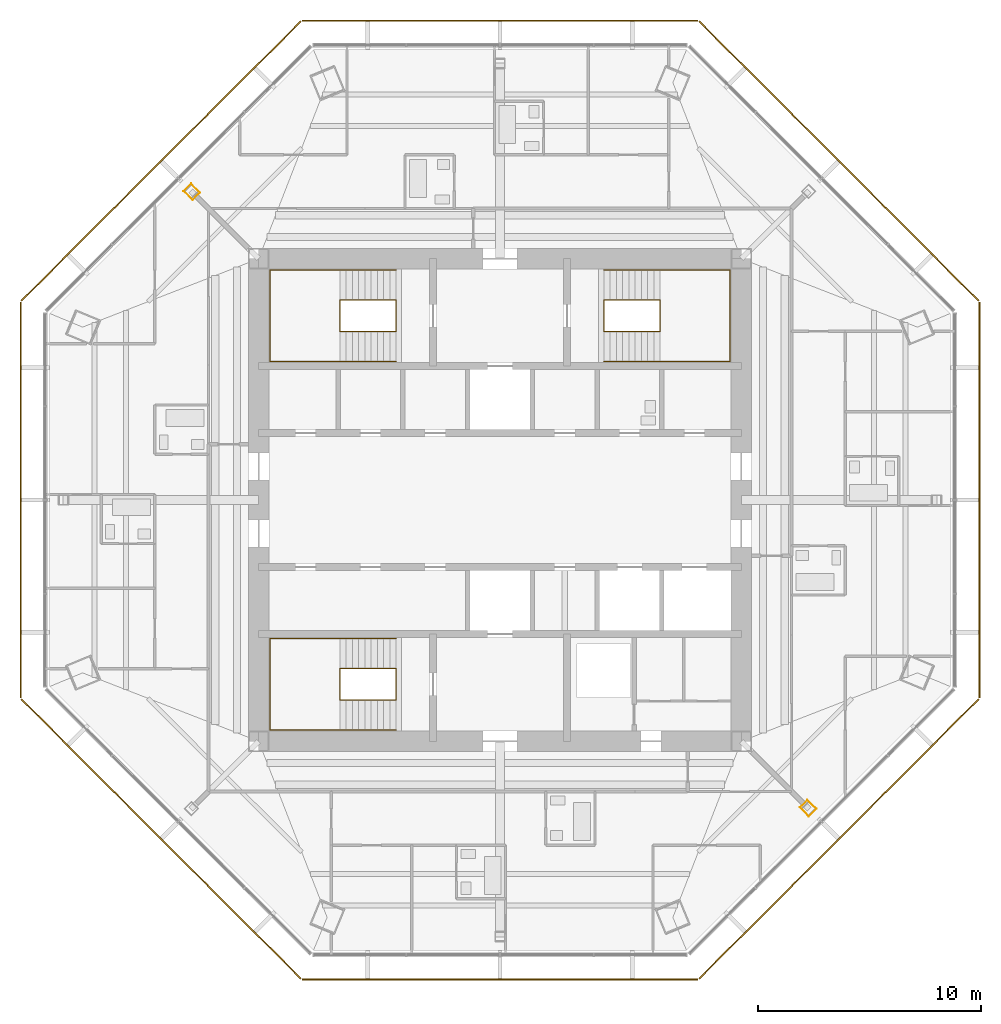
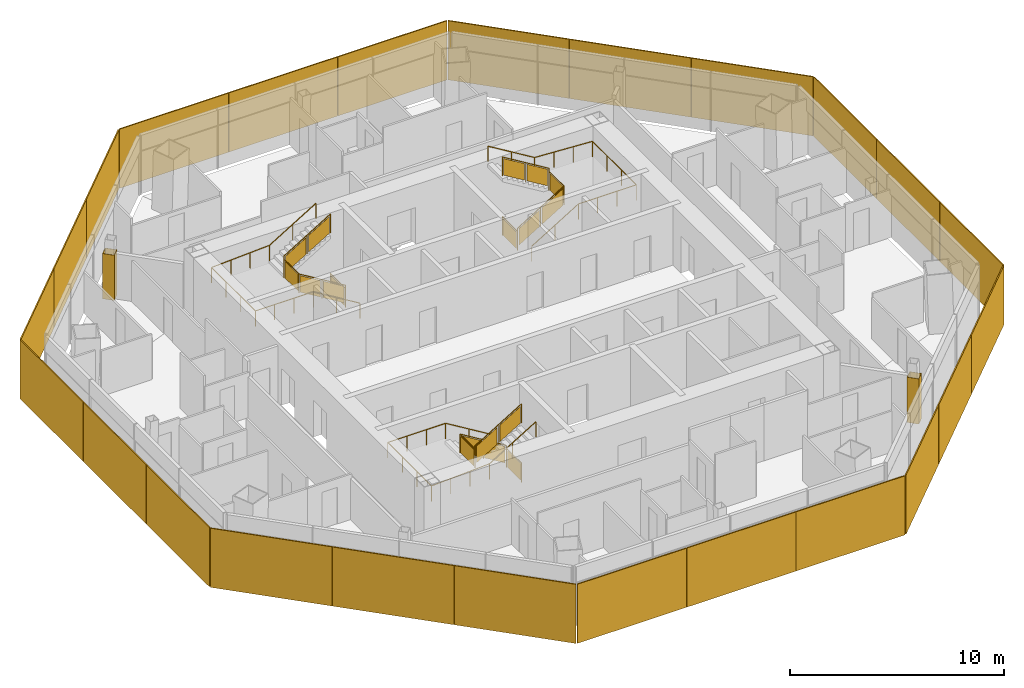
# One storey, part 14 of 15: 24 shading devices, 6 railings, 2 coverings.
"""IFC4 building model written with IfcOpenShell, lengths in metres."""

from ifc_helpers import new_model, si_unit, direction, frame, origin, origin_2d, place, context, subcontext, project, spatial, polyline, rectangle, circle, outline, extrude, source, transform, mapped, material, layer, layer_set, type_object, type_shapes, element, save


model = new_model("IFC4")

# Units and contexts
model_context = context("Model", 3, precision=1e-05, world=origin(), true_north=direction((0.0, 1.0)))
body_context = subcontext(model_context, "Body", "Model", "MODEL_VIEW")
ifc_project = project(units=[si_unit("LENGTHUNIT", "METRE"), si_unit("AREAUNIT", "SQUARE_METRE"), si_unit("VOLUMEUNIT", "CUBIC_METRE"), si_unit("PLANEANGLEUNIT", "RADIAN"), si_unit("MASSUNIT", "GRAM", prefix="KILO")], contexts=[model_context])

# Site, building, storey
site_placement = place(None, origin())
site = spatial("IfcSite", under=ifc_project, at=site_placement, CompositionType="ELEMENT")
building_placement = place(site_placement, origin())
building = spatial("IfcBuilding", under=site, at=building_placement, Name="Mashrafa Tower", CompositionType="ELEMENT")
storey_placement = place(building_placement, frame((0.0, 0.0, 270.800048828125)))
storey = spatial("IfcBuildingStorey", under=building, at=storey_placement, Name="L65", CompositionType="ELEMENT", Elevation=270.800048828125)

# Coverings
ifc_material_1 = material(Name="Gypsum board")
ifc_layer_1 = layer(ifc_material_1, 0.014892578125)
ifc_layer_set_1 = layer_set([ifc_layer_1], Name="Column casing plasterboard 15")
covering_type = type_object("IfcCoveringType", Name="Column casing plasterboard 15", PredefinedType="CLADDING", material=ifc_layer_set_1)
covering_1_placement = place(storey_placement, origin())
element("IfcCovering", 1, at=covering_1_placement, inside=storey, type_object=covering_type, Name="Column casing L65-001", PredefinedType="CLADDING", context=body_context, shape_type="SweptSolid", body=[
    extrude(outline(polyline([(-14.16650390625, 13.826904296875), (-13.826904296875, 14.16650390625), (-13.41943359375, 13.7587890625), (-13.7587890625, 13.41943359375), (-14.16650390625, 13.826904296875)]), holes=[polyline([(-13.440673828125, 13.7587890625), (-13.826904296875, 14.14501953125), (-14.14501953125, 13.826904296875), (-13.7587890625, 13.440673828125), (-13.440673828125, 13.7587890625)])]), origin(), (0.0, 0.0, 1.0), 2.590576171875),
])
covering_2_placement = place(storey_placement, origin())
element("IfcCovering", 2, at=covering_2_placement, inside=storey, type_object=covering_type, Name="Column casing L65-002", PredefinedType="CLADDING", context=body_context, shape_type="SweptSolid", body=[
    extrude(outline(polyline([(13.41943359375, -13.7587890625), (13.7587890625, -13.41943359375), (14.16650390625, -13.826904296875), (13.826904296875, -14.16650390625), (13.41943359375, -13.7587890625)]), holes=[polyline([(14.14501953125, -13.826904296875), (13.7587890625, -13.440673828125), (13.440673828125, -13.7587890625), (13.826904296875, -14.14501953125), (14.14501953125, -13.826904296875)])]), origin(), (0.0, 0.0, 1.0), 2.590576171875),
])

# Railings
ifc_material_2 = material(Name="Steel guard with glass infill", Category="steel")
railing_type_1 = type_object("IfcRailingType", Name="Stair guard 1100", PredefinedType="GUARDRAIL", material=ifc_material_2)
railing_1_placement = place(storey_placement, frame((-4.64990234375, 8.949951171875, 0.0)))
element("IfcRailing", 3, at=railing_1_placement, inside=storey, type_object=railing_type_1, Name="Stair S1 guard L65", PredefinedType="GUARDRAIL", context=body_context, shape_type="SweptSolid", body=[
    extrude(circle(Radius=0.02392578125, at=origin_2d()), frame((0.0, 0.0, 1.076171875), z_axis=(0.0, -1.0, 0.0), x_axis=(1.0, 0.0, 0.0)), (0.0, 0.0, 1.0), 1.39990234375),
    extrude(circle(Radius=0.02392578125, at=origin_2d()), frame((0.0, -1.39990234375, 1.076171875), z_axis=(0.0, 0.0, 1.0), x_axis=(1.0, 0.0, 0.0)), (0.0, 0.0, 1.0), 0.169921875),
    extrude(circle(Radius=0.02392578125, at=origin_2d()), frame((0.0, -1.39990234375, 1.24609375), z_axis=(-0.85478489116, 0.0, 0.518982456201), x_axis=(0.0, -1.0, 0.0)), (0.0, 0.0, 1.0), 2.9482421875),
    extrude(circle(Radius=0.02392578125, at=origin_2d()), frame((-2.52001953125, -1.39990234375, 2.77587890625), z_axis=(0.0, 1.0, 0.0), x_axis=(-1.0, 0.0, 0.0)), (0.0, 0.0, 1.0), 1.39990234375),
    extrude(circle(Radius=0.02392578125, at=origin_2d()), frame((-2.52001953125, 0.0, 2.77587890625), z_axis=(0.0, 0.0, 1.0), x_axis=(1.0, 0.0, 0.0)), (0.0, 0.0, 1.0), 0.169921875),
    extrude(circle(Radius=0.02392578125, at=origin_2d()), frame((-2.52001953125, 0.0, 2.94580078125), z_axis=(0.85478489116, 0.0, 0.518982456201), x_axis=(0.0, 1.0, 0.0)), (0.0, 0.0, 1.0), 2.9482421875),
    extrude(circle(Radius=0.02099609375, at=origin_2d()), origin(), (0.0, 0.0, 1.0), 1.052001953125),
    extrude(circle(Radius=0.02099609375, at=origin_2d()), frame((0.0, -1.39990234375, 0.0)), (0.0, 0.0, 1.0), 1.052001953125),
    extrude(circle(Radius=0.02099609375, at=origin_2d()), frame((0.0, -1.39990234375, 0.169921875)), (0.0, 0.0, 1.0), 1.052001953125),
    extrude(circle(Radius=0.02099609375, at=origin_2d()), frame((-1.260009765625, -1.39990234375, 0.93505859375)), (0.0, 0.0, 1.0), 1.052001953125),
    extrude(circle(Radius=0.02099609375, at=origin_2d()), frame((-2.52001953125, -1.39990234375, 1.699951171875)), (0.0, 0.0, 1.0), 1.052001953125),
    extrude(circle(Radius=0.02099609375, at=origin_2d()), frame((-2.52001953125, 0.0, 1.699951171875)), (0.0, 0.0, 1.0), 1.052001953125),
    extrude(circle(Radius=0.02099609375, at=origin_2d()), frame((-2.52001953125, 0.0, 1.869873046875)), (0.0, 0.0, 1.0), 1.052001953125),
    extrude(circle(Radius=0.02099609375, at=origin_2d()), frame((-1.260009765625, 0.0, 2.634765625)), (0.0, 0.0, 1.0), 1.052001953125),
    extrude(circle(Radius=0.02099609375, at=origin_2d()), frame((0.0, 0.0, 3.39990234375)), (0.0, 0.0, 1.0), 1.052001953125),
    extrude(outline(polyline([(0.071044921875, 0.050048828125), (1.328857421875, 0.050048828125), (1.328857421875, 1.001953125), (0.071044921875, 1.001953125), (0.071044921875, 0.050048828125)])), frame((-0.006103515625, 0.0, 0.0), z_axis=(-1.0, 0.0, 0.0), x_axis=(0.0, -1.0, 0.0)), (0.0, 0.0, 1.0), 0.011962890625),
    extrude(outline(polyline([(0.071044921875, 0.093017578125), (1.18896484375, 0.77197265625), (1.18896484375, 1.723876953125), (0.071044921875, 1.045166015625), (0.071044921875, 0.093017578125)])), frame((0.0, -1.393798828125, 0.169921875), z_axis=(0.0, 1.0, 0.0), x_axis=(-1.0, 0.0, 0.0)), (0.0, 0.0, 1.0), 0.011962890625),
    extrude(outline(polyline([(1.3310546875, 0.858154296875), (2.448974609375, 1.536865234375), (2.448974609375, 2.489013671875), (1.3310546875, 1.81005859375), (1.3310546875, 0.858154296875)])), frame((0.0, -1.393798828125, 0.169921875), z_axis=(0.0, 1.0, 0.0), x_axis=(-1.0, 0.0, 0.0)), (0.0, 0.0, 1.0), 0.011962890625),
    extrude(outline(polyline([(0.071044921875, 0.050048828125), (1.328857421875, 0.050048828125), (1.328857421875, 1.001953125), (0.071044921875, 1.001953125), (0.071044921875, 0.050048828125)])), frame((-2.513916015625, -1.39990234375, 1.699951171875), z_axis=(1.0, 0.0, 0.0), x_axis=(0.0, 1.0, 0.0)), (0.0, 0.0, 1.0), 0.011962890625),
    extrude(outline(polyline([(0.071044921875, 0.093017578125), (1.18896484375, 0.77197265625), (1.18896484375, 1.723876953125), (0.071044921875, 1.045166015625), (0.071044921875, 0.093017578125)])), frame((-2.52001953125, -0.006103515625, 1.869873046875), z_axis=(0.0, -1.0, 0.0), x_axis=(1.0, 0.0, 0.0)), (0.0, 0.0, 1.0), 0.011962890625),
    extrude(outline(polyline([(1.3310546875, 0.858154296875), (2.448974609375, 1.536865234375), (2.448974609375, 2.489013671875), (1.3310546875, 1.81005859375), (1.3310546875, 0.858154296875)])), frame((-2.52001953125, -0.006103515625, 1.869873046875), z_axis=(0.0, -1.0, 0.0), x_axis=(1.0, 0.0, 0.0)), (0.0, 0.0, 1.0), 0.011962890625),
])
railing_2_placement = place(storey_placement, frame((4.64990234375, 8.949951171875, 0.0)))
element("IfcRailing", 4, at=railing_2_placement, inside=storey, type_object=railing_type_1, Name="Stair S2 guard L65", PredefinedType="GUARDRAIL", context=body_context, shape_type="SweptSolid", body=[
    extrude(circle(Radius=0.02392578125, at=origin_2d()), frame((0.0, 0.0, 1.076171875), z_axis=(0.0, -1.0, 0.0), x_axis=(1.0, 0.0, 0.0)), (0.0, 0.0, 1.0), 1.39990234375),
    extrude(circle(Radius=0.02392578125, at=origin_2d()), frame((0.0, -1.39990234375, 1.076171875), z_axis=(0.0, 0.0, 1.0), x_axis=(1.0, 0.0, 0.0)), (0.0, 0.0, 1.0), 0.169921875),
    extrude(circle(Radius=0.02392578125, at=origin_2d()), frame((0.0, -1.39990234375, 1.24609375), z_axis=(0.85478489116, 0.0, 0.518982456201), x_axis=(0.0, 1.0, 0.0)), (0.0, 0.0, 1.0), 2.9482421875),
    extrude(circle(Radius=0.02392578125, at=origin_2d()), frame((2.52001953125, -1.39990234375, 2.77587890625), z_axis=(0.0, 1.0, 0.0), x_axis=(-1.0, 0.0, 0.0)), (0.0, 0.0, 1.0), 1.39990234375),
    extrude(circle(Radius=0.02392578125, at=origin_2d()), frame((2.52001953125, 0.0, 2.77587890625), z_axis=(0.0, 0.0, 1.0), x_axis=(1.0, 0.0, 0.0)), (0.0, 0.0, 1.0), 0.169921875),
    extrude(circle(Radius=0.02392578125, at=origin_2d()), frame((2.52001953125, 0.0, 2.94580078125), z_axis=(-0.85478489116, 0.0, 0.518982456201), x_axis=(0.0, -1.0, 0.0)), (0.0, 0.0, 1.0), 2.9482421875),
    extrude(circle(Radius=0.02099609375, at=origin_2d()), origin(), (0.0, 0.0, 1.0), 1.052001953125),
    extrude(circle(Radius=0.02099609375, at=origin_2d()), frame((0.0, -1.39990234375, 0.0)), (0.0, 0.0, 1.0), 1.052001953125),
    extrude(circle(Radius=0.02099609375, at=origin_2d()), frame((0.0, -1.39990234375, 0.169921875)), (0.0, 0.0, 1.0), 1.052001953125),
    extrude(circle(Radius=0.02099609375, at=origin_2d()), frame((1.260009765625, -1.39990234375, 0.93505859375)), (0.0, 0.0, 1.0), 1.052001953125),
    extrude(circle(Radius=0.02099609375, at=origin_2d()), frame((2.52001953125, -1.39990234375, 1.699951171875)), (0.0, 0.0, 1.0), 1.052001953125),
    extrude(circle(Radius=0.02099609375, at=origin_2d()), frame((2.52001953125, 0.0, 1.699951171875)), (0.0, 0.0, 1.0), 1.052001953125),
    extrude(circle(Radius=0.02099609375, at=origin_2d()), frame((2.52001953125, 0.0, 1.869873046875)), (0.0, 0.0, 1.0), 1.052001953125),
    extrude(circle(Radius=0.02099609375, at=origin_2d()), frame((1.260009765625, 0.0, 2.634765625)), (0.0, 0.0, 1.0), 1.052001953125),
    extrude(circle(Radius=0.02099609375, at=origin_2d()), frame((0.0, 0.0, 3.39990234375)), (0.0, 0.0, 1.0), 1.052001953125),
    extrude(outline(polyline([(0.071044921875, 0.050048828125), (1.328857421875, 0.050048828125), (1.328857421875, 1.001953125), (0.071044921875, 1.001953125), (0.071044921875, 0.050048828125)])), frame((-0.006103515625, 0.0, 0.0), z_axis=(-1.0, 0.0, 0.0), x_axis=(0.0, -1.0, 0.0)), (0.0, 0.0, 1.0), 0.011962890625),
    extrude(outline(polyline([(0.071044921875, 0.093017578125), (1.18896484375, 0.77197265625), (1.18896484375, 1.723876953125), (0.071044921875, 1.045166015625), (0.071044921875, 0.093017578125)])), frame((0.0, -1.406005859375, 0.169921875), z_axis=(0.0, -1.0, 0.0), x_axis=(1.0, 0.0, 0.0)), (0.0, 0.0, 1.0), 0.011962890625),
    extrude(outline(polyline([(1.3310546875, 0.858154296875), (2.448974609375, 1.536865234375), (2.448974609375, 2.489013671875), (1.3310546875, 1.81005859375), (1.3310546875, 0.858154296875)])), frame((0.0, -1.406005859375, 0.169921875), z_axis=(0.0, -1.0, 0.0), x_axis=(1.0, 0.0, 0.0)), (0.0, 0.0, 1.0), 0.011962890625),
    extrude(outline(polyline([(0.071044921875, 0.050048828125), (1.328857421875, 0.050048828125), (1.328857421875, 1.001953125), (0.071044921875, 1.001953125), (0.071044921875, 0.050048828125)])), frame((2.526123046875, -1.39990234375, 1.699951171875), z_axis=(1.0, 0.0, 0.0), x_axis=(0.0, 1.0, 0.0)), (0.0, 0.0, 1.0), 0.011962890625),
    extrude(outline(polyline([(0.071044921875, 0.093017578125), (1.18896484375, 0.77197265625), (1.18896484375, 1.723876953125), (0.071044921875, 1.045166015625), (0.071044921875, 0.093017578125)])), frame((2.52001953125, 0.006103515625, 1.869873046875), z_axis=(0.0, 1.0, 0.0), x_axis=(-1.0, 0.0, 0.0)), (0.0, 0.0, 1.0), 0.011962890625),
    extrude(outline(polyline([(1.3310546875, 0.858154296875), (2.448974609375, 1.536865234375), (2.448974609375, 2.489013671875), (1.3310546875, 1.81005859375), (1.3310546875, 0.858154296875)])), frame((2.52001953125, 0.006103515625, 1.869873046875), z_axis=(0.0, 1.0, 0.0), x_axis=(-1.0, 0.0, 0.0)), (0.0, 0.0, 1.0), 0.011962890625),
])
railing_3_placement = place(storey_placement, frame((-4.64990234375, -8.949951171875, 0.0)))
element("IfcRailing", 5, at=railing_3_placement, inside=storey, type_object=railing_type_1, Name="Stair S3 guard L65", PredefinedType="GUARDRAIL", context=body_context, shape_type="SweptSolid", body=[
    extrude(circle(Radius=0.02392578125, at=origin_2d()), frame((0.0, 0.0, 1.076171875), z_axis=(0.0, 1.0, 0.0), x_axis=(-1.0, 0.0, 0.0)), (0.0, 0.0, 1.0), 1.39990234375),
    extrude(circle(Radius=0.02392578125, at=origin_2d()), frame((0.0, 1.39990234375, 1.076171875), z_axis=(0.0, 0.0, 1.0), x_axis=(1.0, 0.0, 0.0)), (0.0, 0.0, 1.0), 0.169921875),
    extrude(circle(Radius=0.02392578125, at=origin_2d()), frame((0.0, 1.39990234375, 1.24609375), z_axis=(-0.85478489116, 0.0, 0.518982456201), x_axis=(0.0, -1.0, 0.0)), (0.0, 0.0, 1.0), 2.9482421875),
    extrude(circle(Radius=0.02392578125, at=origin_2d()), frame((-2.52001953125, 1.39990234375, 2.77587890625), z_axis=(0.0, -1.0, 0.0), x_axis=(1.0, 0.0, 0.0)), (0.0, 0.0, 1.0), 1.39990234375),
    extrude(circle(Radius=0.02392578125, at=origin_2d()), frame((-2.52001953125, 0.0, 2.77587890625), z_axis=(0.0, 0.0, 1.0), x_axis=(1.0, 0.0, 0.0)), (0.0, 0.0, 1.0), 0.169921875),
    extrude(circle(Radius=0.02392578125, at=origin_2d()), frame((-2.52001953125, 0.0, 2.94580078125), z_axis=(0.85478489116, 0.0, 0.518982456201), x_axis=(0.0, 1.0, 0.0)), (0.0, 0.0, 1.0), 2.9482421875),
    extrude(circle(Radius=0.02099609375, at=origin_2d()), origin(), (0.0, 0.0, 1.0), 1.052001953125),
    extrude(circle(Radius=0.02099609375, at=origin_2d()), frame((0.0, 1.39990234375, 0.0)), (0.0, 0.0, 1.0), 1.052001953125),
    extrude(circle(Radius=0.02099609375, at=origin_2d()), frame((0.0, 1.39990234375, 0.169921875)), (0.0, 0.0, 1.0), 1.052001953125),
    extrude(circle(Radius=0.02099609375, at=origin_2d()), frame((-1.260009765625, 1.39990234375, 0.93505859375)), (0.0, 0.0, 1.0), 1.052001953125),
    extrude(circle(Radius=0.02099609375, at=origin_2d()), frame((-2.52001953125, 1.39990234375, 1.699951171875)), (0.0, 0.0, 1.0), 1.052001953125),
    extrude(circle(Radius=0.02099609375, at=origin_2d()), frame((-2.52001953125, 0.0, 1.699951171875)), (0.0, 0.0, 1.0), 1.052001953125),
    extrude(circle(Radius=0.02099609375, at=origin_2d()), frame((-2.52001953125, 0.0, 1.869873046875)), (0.0, 0.0, 1.0), 1.052001953125),
    extrude(circle(Radius=0.02099609375, at=origin_2d()), frame((-1.260009765625, 0.0, 2.634765625)), (0.0, 0.0, 1.0), 1.052001953125),
    extrude(circle(Radius=0.02099609375, at=origin_2d()), frame((0.0, 0.0, 3.39990234375)), (0.0, 0.0, 1.0), 1.052001953125),
    extrude(outline(polyline([(0.071044921875, 0.050048828125), (1.328857421875, 0.050048828125), (1.328857421875, 1.001953125), (0.071044921875, 1.001953125), (0.071044921875, 0.050048828125)])), frame((0.006103515625, 0.0, 0.0), z_axis=(1.0, 0.0, 0.0), x_axis=(0.0, 1.0, 0.0)), (0.0, 0.0, 1.0), 0.011962890625),
    extrude(outline(polyline([(0.071044921875, 0.093017578125), (1.18896484375, 0.77197265625), (1.18896484375, 1.723876953125), (0.071044921875, 1.045166015625), (0.071044921875, 0.093017578125)])), frame((0.0, 1.406005859375, 0.169921875), z_axis=(0.0, 1.0, 0.0), x_axis=(-1.0, 0.0, 0.0)), (0.0, 0.0, 1.0), 0.011962890625),
    extrude(outline(polyline([(1.3310546875, 0.858154296875), (2.448974609375, 1.536865234375), (2.448974609375, 2.489013671875), (1.3310546875, 1.81005859375), (1.3310546875, 0.858154296875)])), frame((0.0, 1.406005859375, 0.169921875), z_axis=(0.0, 1.0, 0.0), x_axis=(-1.0, 0.0, 0.0)), (0.0, 0.0, 1.0), 0.011962890625),
    extrude(outline(polyline([(0.071044921875, 0.050048828125), (1.328857421875, 0.050048828125), (1.328857421875, 1.001953125), (0.071044921875, 1.001953125), (0.071044921875, 0.050048828125)])), frame((-2.526123046875, 1.39990234375, 1.699951171875), z_axis=(-1.0, 0.0, 0.0), x_axis=(0.0, -1.0, 0.0)), (0.0, 0.0, 1.0), 0.011962890625),
    extrude(outline(polyline([(0.071044921875, 0.093017578125), (1.18896484375, 0.77197265625), (1.18896484375, 1.723876953125), (0.071044921875, 1.045166015625), (0.071044921875, 0.093017578125)])), frame((-2.52001953125, -0.006103515625, 1.869873046875), z_axis=(0.0, -1.0, 0.0), x_axis=(1.0, 0.0, 0.0)), (0.0, 0.0, 1.0), 0.011962890625),
    extrude(outline(polyline([(1.3310546875, 0.858154296875), (2.448974609375, 1.536865234375), (2.448974609375, 2.489013671875), (1.3310546875, 1.81005859375), (1.3310546875, 0.858154296875)])), frame((-2.52001953125, -0.006103515625, 1.869873046875), z_axis=(0.0, -1.0, 0.0), x_axis=(1.0, 0.0, 0.0)), (0.0, 0.0, 1.0), 0.011962890625),
])
ifc_material_3 = material(Name="Steel", Category="steel")
railing_type_2 = type_object("IfcRailingType", Name="Stair handrail 900", PredefinedType="HANDRAIL", material=ifc_material_3)
railing_4_placement = place(storey_placement, frame((-4.64990234375, 6.199951171875, 0.169921875)))
element("IfcRailing", 6, at=railing_4_placement, inside=storey, type_object=railing_type_2, Name="Stair S1 handrail L65", PredefinedType="HANDRAIL", context=body_context, shape_type="SweptSolid", body=[
    extrude(circle(Radius=0.02392578125, at=origin_2d()), frame((0.0, 0.0, 0.8759765625), z_axis=(-0.85478489116, 0.0, 0.518982456201), x_axis=(0.0, -1.0, 0.0)), (0.0, 0.0, 1.0), 2.9482421875),
    extrude(circle(Radius=0.02392578125, at=origin_2d()), frame((-2.52001953125, 0.0, 2.40576171875), z_axis=(-1.0, 0.0, 0.0), x_axis=(0.0, -1.0, 0.0)), (0.0, 0.0, 1.0), 3.130126953125),
    extrude(circle(Radius=0.02392578125, at=origin_2d()), frame((-5.650146484375, 0.0, 2.40576171875), z_axis=(0.0, 1.0, 0.0), x_axis=(-1.0, 0.0, 0.0)), (0.0, 0.0, 1.0), 4.10009765625),
    extrude(circle(Radius=0.02392578125, at=origin_2d()), frame((-5.650146484375, 4.10009765625, 2.40576171875), z_axis=(0.998529767259, 0.0, 0.054206124172), x_axis=(0.0, 1.0, 0.0)), (0.0, 0.0, 1.0), 3.134765625),
    extrude(circle(Radius=0.02392578125, at=origin_2d()), frame((-2.52001953125, 4.10009765625, 2.57568359375), z_axis=(0.85478489116, 0.0, 0.518982456201), x_axis=(0.0, 1.0, 0.0)), (0.0, 0.0, 1.0), 2.9482421875),
    extrude(circle(Radius=0.02099609375, at=origin_2d()), origin(), (0.0, 0.0, 1.0), 0.851806640625),
    extrude(circle(Radius=0.02099609375, at=origin_2d()), frame((-1.260009765625, 0.0, 0.76513671875)), (0.0, 0.0, 1.0), 0.851806640625),
    extrude(circle(Radius=0.02099609375, at=origin_2d()), frame((-2.52001953125, 0.0, 1.530029296875)), (0.0, 0.0, 1.0), 0.851806640625),
    extrude(circle(Radius=0.02099609375, at=origin_2d()), frame((-3.5634765625, 0.0, 1.530029296875)), (0.0, 0.0, 1.0), 0.851806640625),
    extrude(circle(Radius=0.02099609375, at=origin_2d()), frame((-4.606689453125, 0.0, 1.530029296875)), (0.0, 0.0, 1.0), 0.851806640625),
    extrude(circle(Radius=0.02099609375, at=origin_2d()), frame((-5.650146484375, 0.0, 1.530029296875)), (0.0, 0.0, 1.0), 0.851806640625),
    extrude(circle(Radius=0.02099609375, at=origin_2d()), frame((-5.650146484375, 1.36669921875, 1.530029296875)), (0.0, 0.0, 1.0), 0.851806640625),
    extrude(circle(Radius=0.02099609375, at=origin_2d()), frame((-5.650146484375, 2.7333984375, 1.530029296875)), (0.0, 0.0, 1.0), 0.851806640625),
    extrude(circle(Radius=0.02099609375, at=origin_2d()), frame((-5.650146484375, 4.10009765625, 1.530029296875)), (0.0, 0.0, 1.0), 0.851806640625),
    extrude(circle(Radius=0.02099609375, at=origin_2d()), frame((-4.606689453125, 4.10009765625, 1.586669921875)), (0.0, 0.0, 1.0), 0.851806640625),
    extrude(circle(Radius=0.02099609375, at=origin_2d()), frame((-3.5634765625, 4.10009765625, 1.643310546875)), (0.0, 0.0, 1.0), 0.851806640625),
    extrude(circle(Radius=0.02099609375, at=origin_2d()), frame((-2.52001953125, 4.10009765625, 1.699951171875)), (0.0, 0.0, 1.0), 0.851806640625),
    extrude(circle(Radius=0.02099609375, at=origin_2d()), frame((-1.260009765625, 4.10009765625, 2.46484375)), (0.0, 0.0, 1.0), 0.851806640625),
    extrude(circle(Radius=0.02099609375, at=origin_2d()), frame((0.0, 4.10009765625, 3.22998046875)), (0.0, 0.0, 1.0), 0.851806640625),
])
railing_5_placement = place(storey_placement, frame((4.64990234375, 6.199951171875, 0.169921875)))
element("IfcRailing", 7, at=railing_5_placement, inside=storey, type_object=railing_type_2, Name="Stair S2 handrail L65", PredefinedType="HANDRAIL", context=body_context, shape_type="SweptSolid", body=[
    extrude(circle(Radius=0.02392578125, at=origin_2d()), frame((0.0, 0.0, 0.8759765625), z_axis=(0.85478489116, 0.0, 0.518982456201), x_axis=(0.0, 1.0, 0.0)), (0.0, 0.0, 1.0), 2.9482421875),
    extrude(circle(Radius=0.02392578125, at=origin_2d()), frame((2.52001953125, 0.0, 2.40576171875), z_axis=(1.0, 0.0, 0.0), x_axis=(0.0, 1.0, 0.0)), (0.0, 0.0, 1.0), 3.130126953125),
    extrude(circle(Radius=0.02392578125, at=origin_2d()), frame((5.650146484375, 0.0, 2.40576171875), z_axis=(0.0, 1.0, 0.0), x_axis=(-1.0, 0.0, 0.0)), (0.0, 0.0, 1.0), 4.10009765625),
    extrude(circle(Radius=0.02392578125, at=origin_2d()), frame((5.650146484375, 4.10009765625, 2.40576171875), z_axis=(-0.998529767259, 0.0, 0.054206124172), x_axis=(0.0, -1.0, 0.0)), (0.0, 0.0, 1.0), 3.134765625),
    extrude(circle(Radius=0.02392578125, at=origin_2d()), frame((2.52001953125, 4.10009765625, 2.57568359375), z_axis=(-0.85478489116, 0.0, 0.518982456201), x_axis=(0.0, -1.0, 0.0)), (0.0, 0.0, 1.0), 2.9482421875),
    extrude(circle(Radius=0.02099609375, at=origin_2d()), origin(), (0.0, 0.0, 1.0), 0.851806640625),
    extrude(circle(Radius=0.02099609375, at=origin_2d()), frame((1.260009765625, 0.0, 0.76513671875)), (0.0, 0.0, 1.0), 0.851806640625),
    extrude(circle(Radius=0.02099609375, at=origin_2d()), frame((2.52001953125, 0.0, 1.530029296875)), (0.0, 0.0, 1.0), 0.851806640625),
    extrude(circle(Radius=0.02099609375, at=origin_2d()), frame((3.5634765625, 0.0, 1.530029296875)), (0.0, 0.0, 1.0), 0.851806640625),
    extrude(circle(Radius=0.02099609375, at=origin_2d()), frame((4.606689453125, 0.0, 1.530029296875)), (0.0, 0.0, 1.0), 0.851806640625),
    extrude(circle(Radius=0.02099609375, at=origin_2d()), frame((5.650146484375, 0.0, 1.530029296875)), (0.0, 0.0, 1.0), 0.851806640625),
    extrude(circle(Radius=0.02099609375, at=origin_2d()), frame((5.650146484375, 1.36669921875, 1.530029296875)), (0.0, 0.0, 1.0), 0.851806640625),
    extrude(circle(Radius=0.02099609375, at=origin_2d()), frame((5.650146484375, 2.7333984375, 1.530029296875)), (0.0, 0.0, 1.0), 0.851806640625),
    extrude(circle(Radius=0.02099609375, at=origin_2d()), frame((5.650146484375, 4.10009765625, 1.530029296875)), (0.0, 0.0, 1.0), 0.851806640625),
    extrude(circle(Radius=0.02099609375, at=origin_2d()), frame((4.606689453125, 4.10009765625, 1.586669921875)), (0.0, 0.0, 1.0), 0.851806640625),
    extrude(circle(Radius=0.02099609375, at=origin_2d()), frame((3.5634765625, 4.10009765625, 1.643310546875)), (0.0, 0.0, 1.0), 0.851806640625),
    extrude(circle(Radius=0.02099609375, at=origin_2d()), frame((2.52001953125, 4.10009765625, 1.699951171875)), (0.0, 0.0, 1.0), 0.851806640625),
    extrude(circle(Radius=0.02099609375, at=origin_2d()), frame((1.260009765625, 4.10009765625, 2.46484375)), (0.0, 0.0, 1.0), 0.851806640625),
    extrude(circle(Radius=0.02099609375, at=origin_2d()), frame((0.0, 4.10009765625, 3.22998046875)), (0.0, 0.0, 1.0), 0.851806640625),
])
railing_6_placement = place(storey_placement, frame((-4.64990234375, -6.199951171875, 0.169921875)))
element("IfcRailing", 8, at=railing_6_placement, inside=storey, type_object=railing_type_2, Name="Stair S3 handrail L65", PredefinedType="HANDRAIL", context=body_context, shape_type="SweptSolid", body=[
    extrude(circle(Radius=0.02392578125, at=origin_2d()), frame((0.0, 0.0, 0.8759765625), z_axis=(-0.85478489116, 0.0, 0.518982456201), x_axis=(0.0, -1.0, 0.0)), (0.0, 0.0, 1.0), 2.9482421875),
    extrude(circle(Radius=0.02392578125, at=origin_2d()), frame((-2.52001953125, 0.0, 2.40576171875), z_axis=(-1.0, 0.0, 0.0), x_axis=(0.0, -1.0, 0.0)), (0.0, 0.0, 1.0), 3.130126953125),
    extrude(circle(Radius=0.02392578125, at=origin_2d()), frame((-5.650146484375, 0.0, 2.40576171875), z_axis=(0.0, -1.0, 0.0), x_axis=(1.0, 0.0, 0.0)), (0.0, 0.0, 1.0), 4.10009765625),
    extrude(circle(Radius=0.02392578125, at=origin_2d()), frame((-5.650146484375, -4.10009765625, 2.40576171875), z_axis=(0.998529767259, 0.0, 0.054206124172), x_axis=(0.0, 1.0, 0.0)), (0.0, 0.0, 1.0), 3.134765625),
    extrude(circle(Radius=0.02392578125, at=origin_2d()), frame((-2.52001953125, -4.10009765625, 2.57568359375), z_axis=(0.85478489116, 0.0, 0.518982456201), x_axis=(0.0, 1.0, 0.0)), (0.0, 0.0, 1.0), 2.9482421875),
    extrude(circle(Radius=0.02099609375, at=origin_2d()), origin(), (0.0, 0.0, 1.0), 0.851806640625),
    extrude(circle(Radius=0.02099609375, at=origin_2d()), frame((-1.260009765625, 0.0, 0.76513671875)), (0.0, 0.0, 1.0), 0.851806640625),
    extrude(circle(Radius=0.02099609375, at=origin_2d()), frame((-2.52001953125, 0.0, 1.530029296875)), (0.0, 0.0, 1.0), 0.851806640625),
    extrude(circle(Radius=0.02099609375, at=origin_2d()), frame((-3.5634765625, 0.0, 1.530029296875)), (0.0, 0.0, 1.0), 0.851806640625),
    extrude(circle(Radius=0.02099609375, at=origin_2d()), frame((-4.606689453125, 0.0, 1.530029296875)), (0.0, 0.0, 1.0), 0.851806640625),
    extrude(circle(Radius=0.02099609375, at=origin_2d()), frame((-5.650146484375, 0.0, 1.530029296875)), (0.0, 0.0, 1.0), 0.851806640625),
    extrude(circle(Radius=0.02099609375, at=origin_2d()), frame((-5.650146484375, -1.36669921875, 1.530029296875)), (0.0, 0.0, 1.0), 0.851806640625),
    extrude(circle(Radius=0.02099609375, at=origin_2d()), frame((-5.650146484375, -2.7333984375, 1.530029296875)), (0.0, 0.0, 1.0), 0.851806640625),
    extrude(circle(Radius=0.02099609375, at=origin_2d()), frame((-5.650146484375, -4.10009765625, 1.530029296875)), (0.0, 0.0, 1.0), 0.851806640625),
    extrude(circle(Radius=0.02099609375, at=origin_2d()), frame((-4.606689453125, -4.10009765625, 1.586669921875)), (0.0, 0.0, 1.0), 0.851806640625),
    extrude(circle(Radius=0.02099609375, at=origin_2d()), frame((-3.5634765625, -4.10009765625, 1.643310546875)), (0.0, 0.0, 1.0), 0.851806640625),
    extrude(circle(Radius=0.02099609375, at=origin_2d()), frame((-2.52001953125, -4.10009765625, 1.699951171875)), (0.0, 0.0, 1.0), 0.851806640625),
    extrude(circle(Radius=0.02099609375, at=origin_2d()), frame((-1.260009765625, -4.10009765625, 2.46484375)), (0.0, 0.0, 1.0), 0.851806640625),
    extrude(circle(Radius=0.02099609375, at=origin_2d()), frame((0.0, -4.10009765625, 3.22998046875)), (0.0, 0.0, 1.0), 0.851806640625),
])

# Shading devices
ifc_material_4 = material(Name="Perforated aluminium plate, eight-point star pattern", Category="aluminium")
ifc_layer_2 = layer(ifc_material_4, 0.06005859375)
ifc_layer_set_2 = layer_set([ifc_layer_2], Name="Mashrabiya screen panel apartment zone 4, 22 percent open")
shading_device_type = type_object("IfcShadingDeviceType", Name="Mashrabiya screen panel apartment zone 4, 22 percent open", PredefinedType="SHUTTER", material=ifc_layer_set_2)
shared_shape = source(origin(), body_context, "Body", "SweptSolid", [
    extrude(rectangle(XDim=5.889404296875, YDim=0.06005859375, at=origin_2d()), origin(), (0.0, 0.0, 1.0), 3.3798828125),
])
type_shapes(shading_device_type, [shared_shape])
for number, where, z_axis, x_axis, name in (
    (9, (21.4541015625, -5.909423828125, -0.14990234375), (0.0, 0.0, 1.0), (0.0, 1.0, 0.0), "Mashrabiya screen L65 east 1"),
    (10, (21.4541015625, 0.0, -0.14990234375), (0.0, 0.0, 1.0), (0.0, 1.0, 0.0), "Mashrabiya screen L65 east 2"),
    (11, (21.4541015625, 5.909423828125, -0.14990234375), (0.0, 0.0, 1.0), (0.0, 1.0, 0.0), "Mashrabiya screen L65 east 3"),
    (12, (19.34912109375, 10.99169921875, -0.14990234375), (0.0, 0.0, 1.0), (-0.707106781187, 0.707106781187, 0.0), "Mashrabiya screen L65 north-east 1"),
    (13, (15.17041015625, 15.17041015625, -0.14990234375), (0.0, 0.0, 1.0), (-0.707106781187, 0.707106781187, 0.0), "Mashrabiya screen L65 north-east 2"),
    (14, (10.99169921875, 19.34912109375, -0.14990234375), (0.0, 0.0, 1.0), (-0.707106781187, 0.707106781187, 0.0), "Mashrabiya screen L65 north-east 3"),
    (15, (5.909423828125, 21.4541015625, -0.14990234375), (0.0, 0.0, 1.0), (-1.0, 0.0, 0.0), "Mashrabiya screen L65 north 1"),
    (16, (0.0, 21.4541015625, -0.14990234375), (0.0, 0.0, 1.0), (-1.0, 0.0, 0.0), "Mashrabiya screen L65 north 2"),
    (17, (-5.909423828125, 21.4541015625, -0.14990234375), (0.0, 0.0, 1.0), (-1.0, 0.0, 0.0), "Mashrabiya screen L65 north 3"),
    (18, (-10.99169921875, 19.34912109375, -0.14990234375), (0.0, 0.0, 1.0), (-0.707106781187, -0.707106781187, 0.0), "Mashrabiya screen L65 north-west 1"),
    (19, (-15.17041015625, 15.17041015625, -0.14990234375), (0.0, 0.0, 1.0), (-0.707106781187, -0.707106781187, 0.0), "Mashrabiya screen L65 north-west 2"),
    (20, (-19.34912109375, 10.99169921875, -0.14990234375), (0.0, 0.0, 1.0), (-0.707106781187, -0.707106781187, 0.0), "Mashrabiya screen L65 north-west 3"),
    (21, (-21.4541015625, 5.909423828125, -0.14990234375), (0.0, 0.0, 1.0), (0.0, -1.0, 0.0), "Mashrabiya screen L65 west 1"),
    (22, (-21.4541015625, 0.0, -0.14990234375), (0.0, 0.0, 1.0), (0.0, -1.0, 0.0), "Mashrabiya screen L65 west 2"),
    (23, (-21.4541015625, -5.909423828125, -0.14990234375), (0.0, 0.0, 1.0), (0.0, -1.0, 0.0), "Mashrabiya screen L65 west 3"),
    (24, (-19.34912109375, -10.99169921875, -0.14990234375), (0.0, 0.0, 1.0), (0.707106781187, -0.707106781187, 0.0), "Mashrabiya screen L65 south-west 1"),
    (25, (-15.17041015625, -15.17041015625, -0.14990234375), (0.0, 0.0, 1.0), (0.707106781187, -0.707106781187, 0.0), "Mashrabiya screen L65 south-west 2"),
    (26, (-10.99169921875, -19.34912109375, -0.14990234375), (0.0, 0.0, 1.0), (0.707106781187, -0.707106781187, 0.0), "Mashrabiya screen L65 south-west 3"),
    (27, (-5.909423828125, -21.4541015625, -0.14990234375), (0.0, 0.0, 1.0), (1.0, 0.0, 0.0), "Mashrabiya screen L65 south 1"),
    (28, (0.0, -21.4541015625, -0.14990234375), (0.0, 0.0, 1.0), (1.0, 0.0, 0.0), "Mashrabiya screen L65 south 2"),
    (29, (5.909423828125, -21.4541015625, -0.14990234375), (0.0, 0.0, 1.0), (1.0, 0.0, 0.0), "Mashrabiya screen L65 south 3"),
    (30, (10.99169921875, -19.34912109375, -0.14990234375), (0.0, 0.0, 1.0), (0.707106781187, 0.707106781187, 0.0), "Mashrabiya screen L65 south-east 1"),
    (31, (15.17041015625, -15.17041015625, -0.14990234375), (0.0, 0.0, 1.0), (0.707106781187, 0.707106781187, 0.0), "Mashrabiya screen L65 south-east 2"),
    (32, (19.34912109375, -10.99169921875, -0.14990234375), (0.0, 0.0, 1.0), (0.707106781187, 0.707106781187, 0.0), "Mashrabiya screen L65 south-east 3"),
):
    element("IfcShadingDevice", number, at=place(storey_placement, frame(where, z_axis=z_axis, x_axis=x_axis)), inside=storey, type_object=shading_device_type, Name=name, PredefinedType="SHUTTER", context=body_context, shape_type="MappedRepresentation", body=[
        mapped(shared_shape, transform((0.0, 0.0, 0.0))),
    ])

save(model, "model.ifc")
